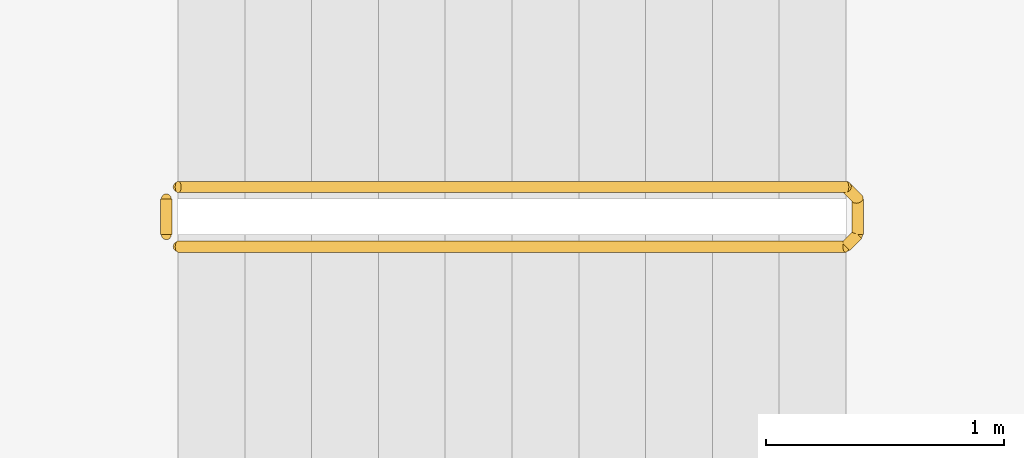
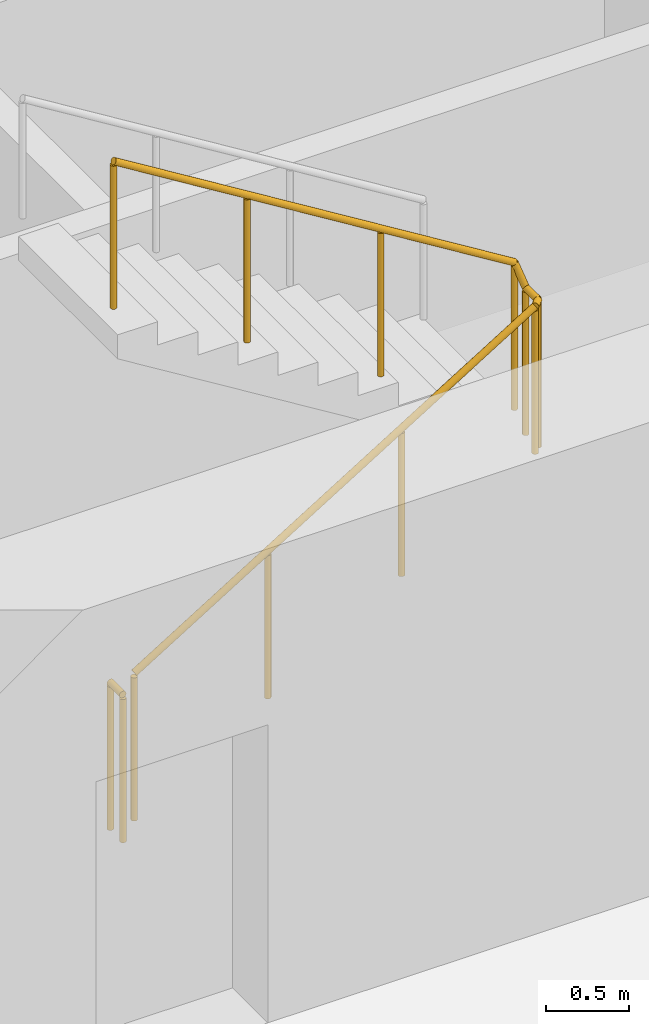
# One storey, part 10 of 14: 2 railings.
"""IFC4 building model written with IfcOpenShell, lengths in metres."""

from ifc_helpers import new_model, si_unit, direction, frame, origin, origin_2d, place, context, subcontext, project, spatial, circle, extrude, material, type_object, element, save


model = new_model("IFC4")

# Units and contexts
model_context = context("Model", 3, precision=1e-05, world=origin(), true_north=direction((0.0, 1.0)))
body_context = subcontext(model_context, "Body", "Model", "MODEL_VIEW")
ifc_project = project(units=[si_unit("LENGTHUNIT", "METRE"), si_unit("AREAUNIT", "SQUARE_METRE"), si_unit("VOLUMEUNIT", "CUBIC_METRE"), si_unit("PLANEANGLEUNIT", "RADIAN"), si_unit("MASSUNIT", "GRAM", prefix="KILO")], contexts=[model_context])

# Site, building, storey
site_placement = place(None, origin())
site = spatial("IfcSite", under=ifc_project, at=site_placement, CompositionType="ELEMENT")
building_placement = place(site_placement, origin())
building = spatial("IfcBuilding", under=site, at=building_placement, Name="Orbiselva Terraces", CompositionType="ELEMENT")
storey_placement = place(building_placement, frame((0.0, 0.0, 18.8)))
storey = spatial("IfcBuildingStorey", under=building, at=storey_placement, Name="L04", CompositionType="ELEMENT", Elevation=18.8)

# Railings
ifc_material = material(Name="Stainless steel", Category="steel")
railing_type = type_object("IfcRailingType", Name="CORE-GUARD-1100", PredefinedType="GUARDRAIL", material=ifc_material)
railing_1_placement = place(storey_placement, frame((-7.15, 6.55, 0.172727)))
element("IfcRailing", 1, at=railing_1_placement, inside=storey, type_object=railing_type, Name="L04 S3 stair guard 1", PredefinedType="GUARDRAIL", context=body_context, shape_type="SweptSolid", body=[
    extrude(circle(Radius=0.024, at=origin_2d()), frame((0.0, 0.0, 1.081), z_axis=(0.851088519012, 0.0, 0.52502222125), x_axis=(0.0, 1.0, 0.0)), (0.0, 0.0, 1.0), 3.289905),
    extrude(circle(Radius=0.024, at=origin_2d()), frame((2.8, 0.0, 2.808273), z_axis=(0.707106781187, 0.707106781187, 0.0), x_axis=(-0.707106781187, 0.707106781187, 0.0)), (0.0, 0.0, 1.0), 0.070711),
    extrude(circle(Radius=0.024, at=origin_2d()), frame((2.85, 0.05, 2.808273), z_axis=(0.0, 1.0, 0.0), x_axis=(-1.0, 0.0, 0.0)), (0.0, 0.0, 1.0), 0.15),
    extrude(circle(Radius=0.024, at=origin_2d()), frame((2.85, 0.2, 2.808273), z_axis=(-0.267894925557, 0.267894925557, 0.925453736133), x_axis=(-0.707106781187, -0.707106781187, 0.0)), (0.0, 0.0, 1.0), 0.18664),
    extrude(circle(Radius=0.024, at=origin_2d()), frame((2.8, 0.25, 2.981), z_axis=(-0.851088519012, 0.0, 0.52502222125), x_axis=(0.0, -1.0, 0.0)), (0.0, 0.0, 1.0), 3.289905),
    extrude(circle(Radius=0.021, at=origin_2d()), origin(), (0.0, 0.0, 1.0), 1.057),
    extrude(circle(Radius=0.021, at=origin_2d()), frame((0.933333, 0.0, 0.575758)), (0.0, 0.0, 1.0), 1.057),
    extrude(circle(Radius=0.021, at=origin_2d()), frame((1.866667, 0.0, 1.151515)), (0.0, 0.0, 1.0), 1.057),
    extrude(circle(Radius=0.021, at=origin_2d()), frame((2.8, 0.0, 1.727273)), (0.0, 0.0, 1.0), 1.057),
    extrude(circle(Radius=0.021, at=origin_2d()), frame((2.85, 0.05, 1.727273)), (0.0, 0.0, 1.0), 1.057),
    extrude(circle(Radius=0.021, at=origin_2d()), frame((2.85, 0.2, 1.727273)), (0.0, 0.0, 1.0), 1.057),
    extrude(circle(Radius=0.021, at=origin_2d()), frame((2.8, 0.25, 1.9)), (0.0, 0.0, 1.0), 1.057),
    extrude(circle(Radius=0.021, at=origin_2d()), frame((1.866667, 0.25, 2.475758)), (0.0, 0.0, 1.0), 1.057),
    extrude(circle(Radius=0.021, at=origin_2d()), frame((0.933333, 0.25, 3.051515)), (0.0, 0.0, 1.0), 1.057),
    extrude(circle(Radius=0.021, at=origin_2d()), frame((0.0, 0.25, 3.627273)), (0.0, 0.0, 1.0), 1.057),
])
railing_2_placement = place(storey_placement, frame((-7.2, 6.6, 0.0)))
element("IfcRailing", 2, at=railing_2_placement, inside=storey, type_object=railing_type, Name="L04 S3 stair guard 2", PredefinedType="GUARDRAIL", context=body_context, shape_type="SweptSolid", body=[
    extrude(circle(Radius=0.024, at=origin_2d()), frame((0.0, 0.0, 1.081), z_axis=(0.0, 1.0, 0.0), x_axis=(-1.0, 0.0, 0.0)), (0.0, 0.0, 1.0), 0.15),
    extrude(circle(Radius=0.021, at=origin_2d()), origin(), (0.0, 0.0, 1.0), 1.057),
    extrude(circle(Radius=0.021, at=origin_2d()), frame((0.0, 0.15, 0.0)), (0.0, 0.0, 1.0), 1.057),
])

save(model, "model.ifc")
